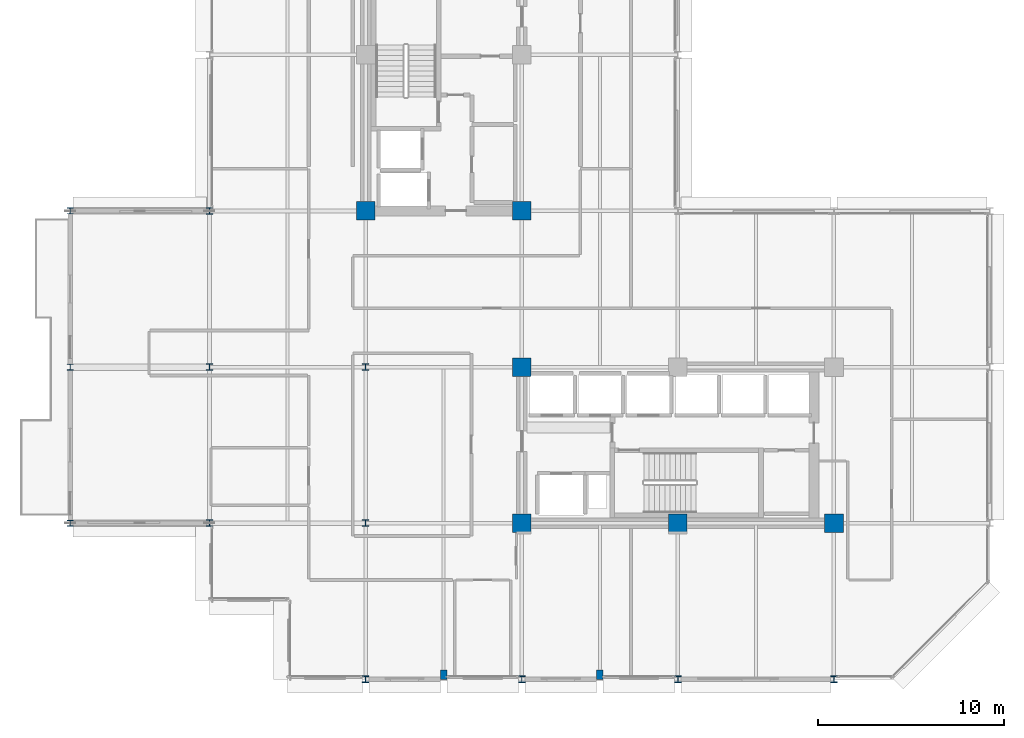
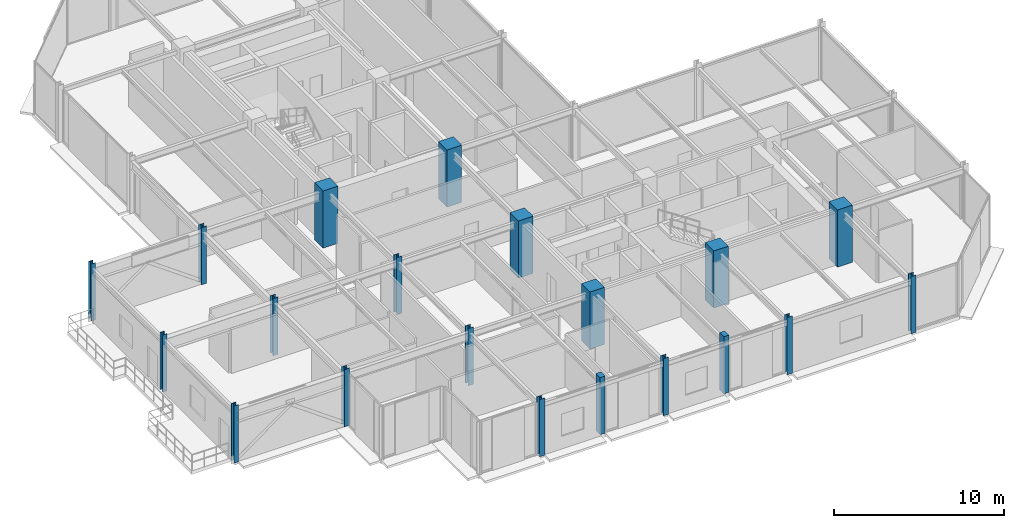
# One storey, part 1 of 30: 20 columns.
"""IFC4 building model written with IfcOpenShell, lengths in metres."""

from ifc_helpers import new_model, si_unit, direction, frame, origin, origin_2d, place, context, subcontext, project, spatial, rectangle, i_section, extrude, material, material_profile, profile_set, type_object, element, save


model = new_model("IFC4")

# Units and contexts
model_context = context("Model", 3, precision=1e-05, world=origin(), true_north=direction((0.0, 1.0)))
body_context = subcontext(model_context, "Body", "Model", "MODEL_VIEW")
ifc_project = project(units=[si_unit("LENGTHUNIT", "METRE"), si_unit("AREAUNIT", "SQUARE_METRE"), si_unit("VOLUMEUNIT", "CUBIC_METRE"), si_unit("PLANEANGLEUNIT", "RADIAN"), si_unit("MASSUNIT", "GRAM", prefix="KILO")], contexts=[model_context])

# Site, building, storey
site_placement = place(None, origin())
site = spatial("IfcSite", under=ifc_project, at=site_placement, CompositionType="ELEMENT")
building_placement = place(site_placement, origin())
building = spatial("IfcBuilding", under=site, at=building_placement, Name="Nerrivon Quay Data Exchange", CompositionType="ELEMENT")
storey_placement = place(building_placement, frame((0.0, 0.0, 216.5)))
storey = spatial("IfcBuildingStorey", under=building, at=storey_placement, Name="L51", CompositionType="ELEMENT", Elevation=216.5)

# Columns
ifc_material_1 = material(Name="Concrete S65 (65 MPa)", Category="concrete")
ifc_material_profile_1 = material_profile(ifc_material_1, rectangle(XDim=1.0, YDim=1.0, at=origin_2d()), Name="RC-COL-1000x1000")
ifc_profile_set_1 = profile_set([ifc_material_profile_1], Name="Concrete S65 (65 MPa)")
column_type_1 = type_object("IfcColumnType", Name="COL-C4-1000", PredefinedType="COLUMN", material=ifc_profile_set_1)
for number, where, z_axis, x_axis, name in (
    (1, (8.39990234375, 25.199951171875, 0.0), (0.0, 0.0, 1.0), (1.0, 0.0, 0.0), "L51 Column (8.4,25.2)"),
    (2, (16.800048828125, 8.39990234375, 0.0), (0.0, 0.0, 1.0), (1.0, 0.0, 0.0), "L51 Column (16.8,8.4)"),
    (3, (16.800048828125, 16.800048828125, 0.0), (0.0, 0.0, 1.0), (1.0, 0.0, 0.0), "L51 Column (16.8,16.8)"),
    (4, (16.800048828125, 25.199951171875, 0.0), (0.0, 0.0, 1.0), (1.0, 0.0, 0.0), "L51 Column (16.8,25.2)"),
    (5, (25.199951171875, 8.39990234375, 0.0), (0.0, 0.0, 1.0), (1.0, 0.0, 0.0), "L51 Column (25.2,8.4)"),
    (6, (33.60009765625, 8.39990234375, 0.0), (0.0, 0.0, 1.0), (1.0, 0.0, 0.0), "L51 Column (33.6,8.4)"),
):
    element("IfcColumn", number, at=place(storey_placement, frame(where, z_axis=z_axis, x_axis=x_axis)), inside=storey, type_object=column_type_1, Name=name, PredefinedType="COLUMN", context=body_context, shape_type="SweptSolid", body=[
        extrude(rectangle(XDim=1.0, YDim=1.0, at=origin_2d()), origin(), (0.0, 0.0, 1.0), 4.10009765625),
    ])
ifc_material_2 = material(Name="Steel Grade 350", Category="steel")
ifc_material_profile_2 = material_profile(ifc_material_2, i_section(OverallWidth=0.35009765625, OverallDepth=0.35009765625, WebThickness=0.02001953125, FlangeThickness=0.031982421875, at=origin_2d()), Name="350WC230")
ifc_profile_set_2 = profile_set([ifc_material_profile_2], Name="Steel Grade 350")
column_type_2 = type_object("IfcColumnType", Name="COL-SC3-350WC", PredefinedType="COLUMN", material=ifc_profile_set_2)
for number, where, z_axis, x_axis, name in (
    (7, (0.0, 8.39990234375, 0.0), (0.0, 0.0, 1.0), (1.0, 0.0, 0.0), "L51 Column (0.0,8.4)"),
    (8, (0.0, 16.800048828125, 0.0), (0.0, 0.0, 1.0), (1.0, 0.0, 0.0), "L51 Column (0.0,16.8)"),
    (9, (0.0, 25.199951171875, 0.0), (0.0, 0.0, 1.0), (1.0, 0.0, 0.0), "L51 Column (0.0,25.2)"),
    (10, (8.39990234375, 0.0, 0.0), (0.0, 0.0, 1.0), (1.0, 0.0, 0.0), "L51 Column (8.4,0.0)"),
    (11, (8.39990234375, 8.39990234375, 0.0), (0.0, 0.0, 1.0), (1.0, 0.0, 0.0), "L51 Column (8.4,8.4)"),
    (12, (8.39990234375, 16.800048828125, 0.0), (0.0, 0.0, 1.0), (1.0, 0.0, 0.0), "L51 Column (8.4,16.8)"),
    (13, (16.800048828125, 0.0, 0.0), (0.0, 0.0, 1.0), (1.0, 0.0, 0.0), "L51 Column (16.8,0.0)"),
    (14, (25.199951171875, 0.0, 0.0), (0.0, 0.0, 1.0), (1.0, 0.0, 0.0), "L51 Column (25.2,0.0)"),
    (15, (33.60009765625, 0.0, 0.0), (0.0, 0.0, 1.0), (1.0, 0.0, 0.0), "L51 Column (33.6,0.0)"),
):
    element("IfcColumn", number, at=place(storey_placement, frame(where, z_axis=z_axis, x_axis=x_axis)), inside=storey, type_object=column_type_2, Name=name, PredefinedType="COLUMN", context=body_context, shape_type="SweptSolid", body=[
        extrude(i_section(OverallWidth=0.35009765625, OverallDepth=0.35009765625, WebThickness=0.02001953125, FlangeThickness=0.031982421875, at=origin_2d()), origin(), (0.0, 0.0, 1.0), 4.10009765625),
    ])
ifc_material_profile_3 = material_profile(ifc_material_2, i_section(OverallWidth=0.31103515625, OverallDepth=0.326904296875, WebThickness=0.015625, FlangeThickness=0.02490234375, FilletRadius=0.0166015625, at=origin_2d()), Name="310UC158")
ifc_profile_set_3 = profile_set([ifc_material_profile_3], Name="Steel Grade 350")
column_type_3 = type_object("IfcColumnType", Name="COL-SC4-310UC158", PredefinedType="COLUMN", material=ifc_profile_set_3)
for number, where, z_axis, x_axis, name in (
    (16, (-7.5, 8.39990234375, 0.0), (0.0, 0.0, 1.0), (1.0, 0.0, 0.0), "L51 West Hooked Post (-7.5,8.4)"),
    (17, (-7.5, 16.800048828125, 0.0), (0.0, 0.0, 1.0), (1.0, 0.0, 0.0), "L51 West Hooked Post (-7.5,16.8)"),
    (18, (-7.5, 25.199951171875, 0.0), (0.0, 0.0, 1.0), (1.0, 0.0, 0.0), "L51 West Hooked Post (-7.5,25.2)"),
):
    element("IfcColumn", number, at=place(storey_placement, frame(where, z_axis=z_axis, x_axis=x_axis)), inside=storey, type_object=column_type_3, Name=name, PredefinedType="COLUMN", context=body_context, shape_type="SweptSolid", body=[
        extrude(i_section(OverallWidth=0.31103515625, OverallDepth=0.326904296875, WebThickness=0.015625, FlangeThickness=0.02490234375, FilletRadius=0.0166015625, at=origin_2d()), origin(), (0.0, 0.0, 1.0), 4.10009765625),
    ])
ifc_material_3 = material(Name="Concrete N50 (50 MPa)", Category="concrete")
ifc_material_profile_4 = material_profile(ifc_material_3, rectangle(XDim=0.35009765625, YDim=0.5, at=origin_2d()), Name="RC-PIL-500x350")
ifc_profile_set_4 = profile_set([ifc_material_profile_4], Name="Concrete N50 (50 MPa)")
column_type_4 = type_object("IfcColumnType", Name="PIL-P2-500x350", PredefinedType="PILASTER", material=ifc_profile_set_4)
for number, where, z_axis, x_axis, name in (
    (19, (12.60009765625, 0.25, 0.0), (0.0, 0.0, 1.0), (1.0, 0.0, 0.0), "L51 Facade Pilaster (12.6)"),
    (20, (21.0, 0.25, 0.0), (0.0, 0.0, 1.0), (1.0, 0.0, 0.0), "L51 Facade Pilaster (21.0)"),
):
    element("IfcColumn", number, at=place(storey_placement, frame(where, z_axis=z_axis, x_axis=x_axis)), inside=storey, type_object=column_type_4, Name=name, PredefinedType="PILASTER", context=body_context, shape_type="SweptSolid", body=[
        extrude(rectangle(XDim=0.35009765625, YDim=0.5, at=origin_2d()), origin(), (0.0, 0.0, 1.0), 4.10009765625),
    ])

save(model, "model.ifc")
